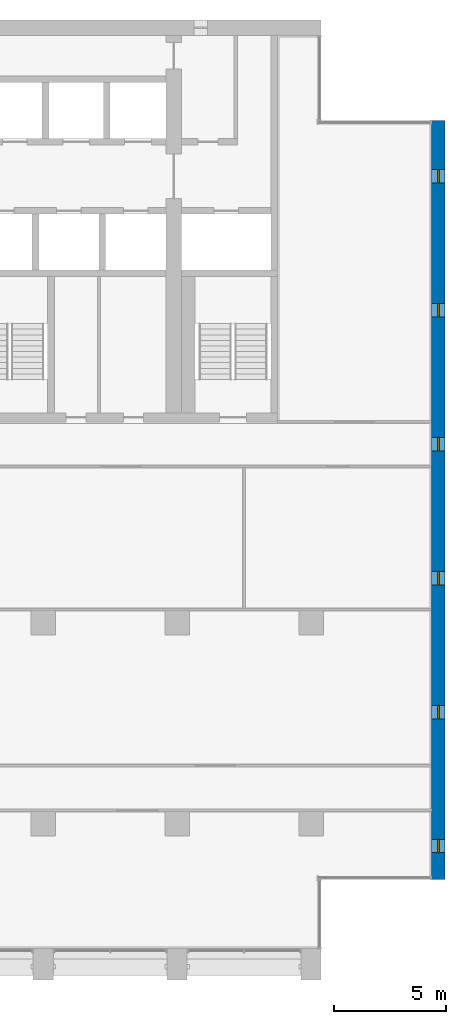
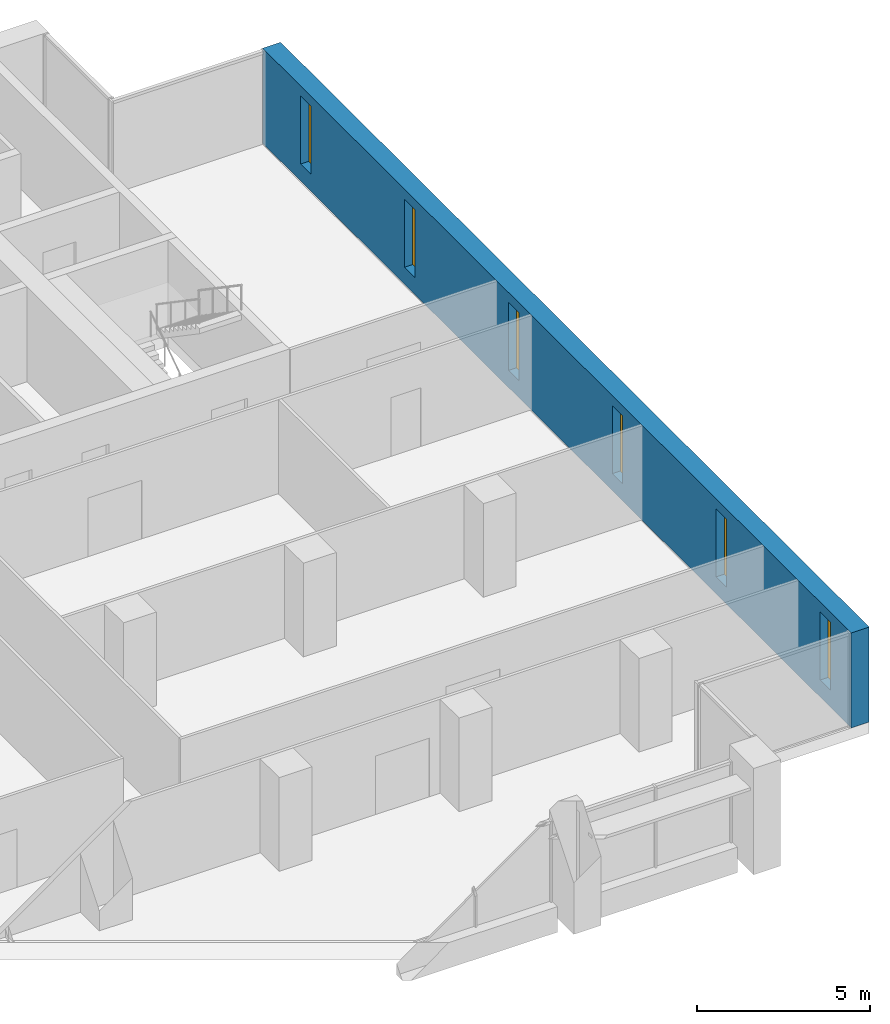
# One storey, part 12 of 17: 6 windows, 1 wall, 6 openings.
"""IFC4 building model written with IfcOpenShell, lengths in metres."""

from ifc_helpers import new_model, si_unit, direction, frame, frame_2d, origin, place, context, subcontext, project, spatial, rectangle, extrude, material, layer, layer_set, type_object, element, fill, save


model = new_model("IFC4")

# Units and contexts
model_context = context("Model", 3, precision=1e-05, world=origin(), true_north=direction((0.0, 1.0)))
body_context = subcontext(model_context, "Body", "Model", "MODEL_VIEW")
ifc_project = project(units=[si_unit("LENGTHUNIT", "METRE"), si_unit("AREAUNIT", "SQUARE_METRE"), si_unit("VOLUMEUNIT", "CUBIC_METRE"), si_unit("PLANEANGLEUNIT", "RADIAN"), si_unit("MASSUNIT", "GRAM", prefix="KILO")], contexts=[model_context])

# Site, building, storey
site_placement = place(None, origin())
site = spatial("IfcSite", under=ifc_project, at=site_placement, CompositionType="ELEMENT")
building_placement = place(site_placement, origin())
building = spatial("IfcBuilding", under=site, at=building_placement, Name="Calvaro Tower", CompositionType="ELEMENT")
storey_placement = place(building_placement, frame((0.0, 0.0, 189.25)))
storey = spatial("IfcBuildingStorey", under=building, at=storey_placement, Name="L47", CompositionType="ELEMENT", Elevation=189.25)

# Wall, openings, windows
ifc_material_1 = material(Name="Concrete C50/60", Category="concrete")
ifc_layer = layer(ifc_material_1, 0.60009765625)
ifc_layer_set = layer_set([ifc_layer], Name="Concrete C50/60")
wall_type = type_object("IfcWallType", Name="End wall 600 C50/60", PredefinedType="SHEAR", material=ifc_layer_set)
wall_placement = place(storey_placement, frame((71.699951171875, 7.5, 0.0), z_axis=(0.0, 0.0, 1.0), x_axis=(0.0, 1.0, 0.0)))
wall = element("IfcWall", 1, at=wall_placement, inside=storey, type_object=wall_type, Name="End shear wall", PredefinedType="SHEAR", context=body_context, shape_type="SweptSolid", body=[
    extrude(rectangle(XDim=34.0, YDim=0.60009765625, at=frame_2d((17.0, 0.0))), origin(), (0.0, 0.0, 1.0), 3.35009765625),
])
opening_1_placement = place(wall_placement, frame((1.199951171875, 0.0, 0.60009765625)))
opening_1 = element("IfcOpeningElement", 2, at=opening_1_placement, cuts=wall, Name="Opening WE01", PredefinedType="OPENING", context=body_context, shape_type="SweptSolid", body=[
    extrude(rectangle(XDim=0.60009765625, YDim=2.39990234375, at=frame_2d((0.300048828125, 1.199951171875))), frame((0.0, 0.31005859375, 0.0), z_axis=(0.0, -1.0, 0.0), x_axis=(1.0, 0.0, 0.0)), (0.0, 0.0, 1.0), 0.6201171875),
])
opening_2_placement = place(wall_placement, frame((7.199951171875, 0.0, 0.60009765625)))
opening_2 = element("IfcOpeningElement", 3, at=opening_2_placement, cuts=wall, Name="Opening WE02", PredefinedType="OPENING", context=body_context, shape_type="SweptSolid", body=[
    extrude(rectangle(XDim=0.60009765625, YDim=2.39990234375, at=frame_2d((0.300048828125, 1.199951171875))), frame((0.0, 0.31005859375, 0.0), z_axis=(0.0, -1.0, 0.0), x_axis=(1.0, 0.0, 0.0)), (0.0, 0.0, 1.0), 0.6201171875),
])
opening_3_placement = place(wall_placement, frame((13.199951171875, 0.0, 0.60009765625)))
opening_3 = element("IfcOpeningElement", 4, at=opening_3_placement, cuts=wall, Name="Opening WE03", PredefinedType="OPENING", context=body_context, shape_type="SweptSolid", body=[
    extrude(rectangle(XDim=0.60009765625, YDim=2.39990234375, at=frame_2d((0.300048828125, 1.199951171875))), frame((0.0, 0.31005859375, 0.0), z_axis=(0.0, -1.0, 0.0), x_axis=(1.0, 0.0, 0.0)), (0.0, 0.0, 1.0), 0.6201171875),
])
opening_4_placement = place(wall_placement, frame((19.199951171875, 0.0, 0.60009765625)))
opening_4 = element("IfcOpeningElement", 5, at=opening_4_placement, cuts=wall, Name="Opening WE04", PredefinedType="OPENING", context=body_context, shape_type="SweptSolid", body=[
    extrude(rectangle(XDim=0.60009765625, YDim=2.39990234375, at=frame_2d((0.300048828125, 1.199951171875))), frame((0.0, 0.31005859375, 0.0), z_axis=(0.0, -1.0, 0.0), x_axis=(1.0, 0.0, 0.0)), (0.0, 0.0, 1.0), 0.6201171875),
])
opening_5_placement = place(wall_placement, frame((25.199951171875, 0.0, 0.60009765625)))
opening_5 = element("IfcOpeningElement", 6, at=opening_5_placement, cuts=wall, Name="Opening WE05", PredefinedType="OPENING", context=body_context, shape_type="SweptSolid", body=[
    extrude(rectangle(XDim=0.60009765625, YDim=2.39990234375, at=frame_2d((0.300048828125, 1.199951171875))), frame((0.0, 0.31005859375, 0.0), z_axis=(0.0, -1.0, 0.0), x_axis=(1.0, 0.0, 0.0)), (0.0, 0.0, 1.0), 0.6201171875),
])
opening_6_placement = place(wall_placement, frame((31.199951171875, 0.0, 0.60009765625)))
opening_6 = element("IfcOpeningElement", 7, at=opening_6_placement, cuts=wall, Name="Opening WE06", PredefinedType="OPENING", context=body_context, shape_type="SweptSolid", body=[
    extrude(rectangle(XDim=0.60009765625, YDim=2.39990234375, at=frame_2d((0.300048828125, 1.199951171875))), frame((0.0, 0.31005859375, 0.0), z_axis=(0.0, -1.0, 0.0), x_axis=(1.0, 0.0, 0.0)), (0.0, 0.0, 1.0), 0.6201171875),
])
ifc_material_2 = material(Name="Glass", Category="glass")
window_type = type_object("IfcWindowType", Name="Slit window 600 x 2400", PartitioningType="SINGLE_PANEL", PredefinedType="WINDOW", material=ifc_material_2)
window_1_placement = place(opening_1_placement, origin())
window_1 = element("IfcWindow", 8, at=window_1_placement, inside=storey, type_object=window_type, Name="Window WE01", OverallHeight=2.39990234375, OverallWidth=0.60009765625, PartitioningType="SINGLE_PANEL", PredefinedType="WINDOW", context=body_context, shape_type="SweptSolid", body=[
    extrude(rectangle(XDim=0.60009765625, YDim=2.39990234375, at=frame_2d((0.300048828125, 1.199951171875))), frame((0.0, 0.030029296875, 0.0), z_axis=(0.0, -1.0, 0.0), x_axis=(1.0, 0.0, 0.0)), (0.0, 0.0, 1.0), 0.06005859375),
])
fill(opening_1, window_1)
window_2_placement = place(opening_2_placement, origin())
window_2 = element("IfcWindow", 9, at=window_2_placement, inside=storey, type_object=window_type, Name="Window WE02", OverallHeight=2.39990234375, OverallWidth=0.60009765625, PartitioningType="SINGLE_PANEL", PredefinedType="WINDOW", context=body_context, shape_type="SweptSolid", body=[
    extrude(rectangle(XDim=0.60009765625, YDim=2.39990234375, at=frame_2d((0.300048828125, 1.199951171875))), frame((0.0, 0.030029296875, 0.0), z_axis=(0.0, -1.0, 0.0), x_axis=(1.0, 0.0, 0.0)), (0.0, 0.0, 1.0), 0.06005859375),
])
fill(opening_2, window_2)
window_3_placement = place(opening_3_placement, origin())
window_3 = element("IfcWindow", 10, at=window_3_placement, inside=storey, type_object=window_type, Name="Window WE03", OverallHeight=2.39990234375, OverallWidth=0.60009765625, PartitioningType="SINGLE_PANEL", PredefinedType="WINDOW", context=body_context, shape_type="SweptSolid", body=[
    extrude(rectangle(XDim=0.60009765625, YDim=2.39990234375, at=frame_2d((0.300048828125, 1.199951171875))), frame((0.0, 0.030029296875, 0.0), z_axis=(0.0, -1.0, 0.0), x_axis=(1.0, 0.0, 0.0)), (0.0, 0.0, 1.0), 0.06005859375),
])
fill(opening_3, window_3)
window_4_placement = place(opening_4_placement, origin())
window_4 = element("IfcWindow", 11, at=window_4_placement, inside=storey, type_object=window_type, Name="Window WE04", OverallHeight=2.39990234375, OverallWidth=0.60009765625, PartitioningType="SINGLE_PANEL", PredefinedType="WINDOW", context=body_context, shape_type="SweptSolid", body=[
    extrude(rectangle(XDim=0.60009765625, YDim=2.39990234375, at=frame_2d((0.300048828125, 1.199951171875))), frame((0.0, 0.030029296875, 0.0), z_axis=(0.0, -1.0, 0.0), x_axis=(1.0, 0.0, 0.0)), (0.0, 0.0, 1.0), 0.06005859375),
])
fill(opening_4, window_4)
window_5_placement = place(opening_5_placement, origin())
window_5 = element("IfcWindow", 12, at=window_5_placement, inside=storey, type_object=window_type, Name="Window WE05", OverallHeight=2.39990234375, OverallWidth=0.60009765625, PartitioningType="SINGLE_PANEL", PredefinedType="WINDOW", context=body_context, shape_type="SweptSolid", body=[
    extrude(rectangle(XDim=0.60009765625, YDim=2.39990234375, at=frame_2d((0.300048828125, 1.199951171875))), frame((0.0, 0.030029296875, 0.0), z_axis=(0.0, -1.0, 0.0), x_axis=(1.0, 0.0, 0.0)), (0.0, 0.0, 1.0), 0.06005859375),
])
fill(opening_5, window_5)
window_6_placement = place(opening_6_placement, origin())
window_6 = element("IfcWindow", 13, at=window_6_placement, inside=storey, type_object=window_type, Name="Window WE06", OverallHeight=2.39990234375, OverallWidth=0.60009765625, PartitioningType="SINGLE_PANEL", PredefinedType="WINDOW", context=body_context, shape_type="SweptSolid", body=[
    extrude(rectangle(XDim=0.60009765625, YDim=2.39990234375, at=frame_2d((0.300048828125, 1.199951171875))), frame((0.0, 0.030029296875, 0.0), z_axis=(0.0, -1.0, 0.0), x_axis=(1.0, 0.0, 0.0)), (0.0, 0.0, 1.0), 0.06005859375),
])
fill(opening_6, window_6)

save(model, "model.ifc")
